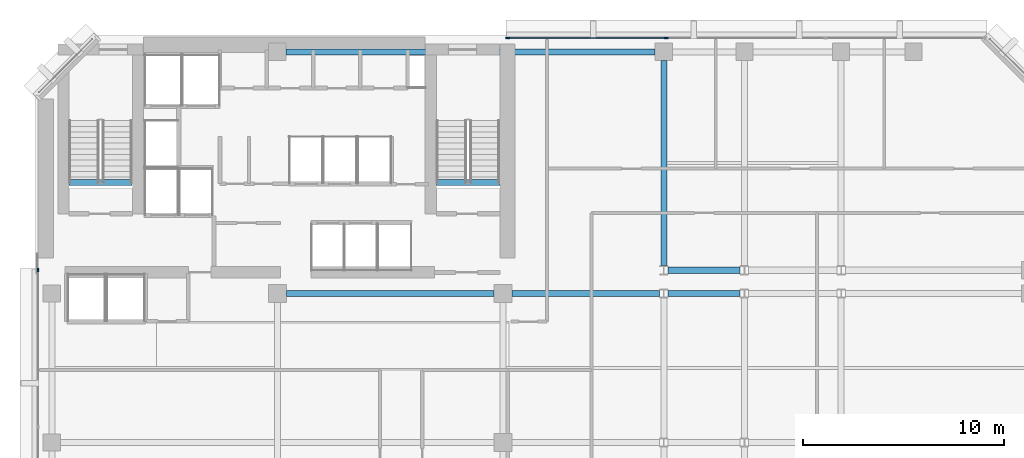
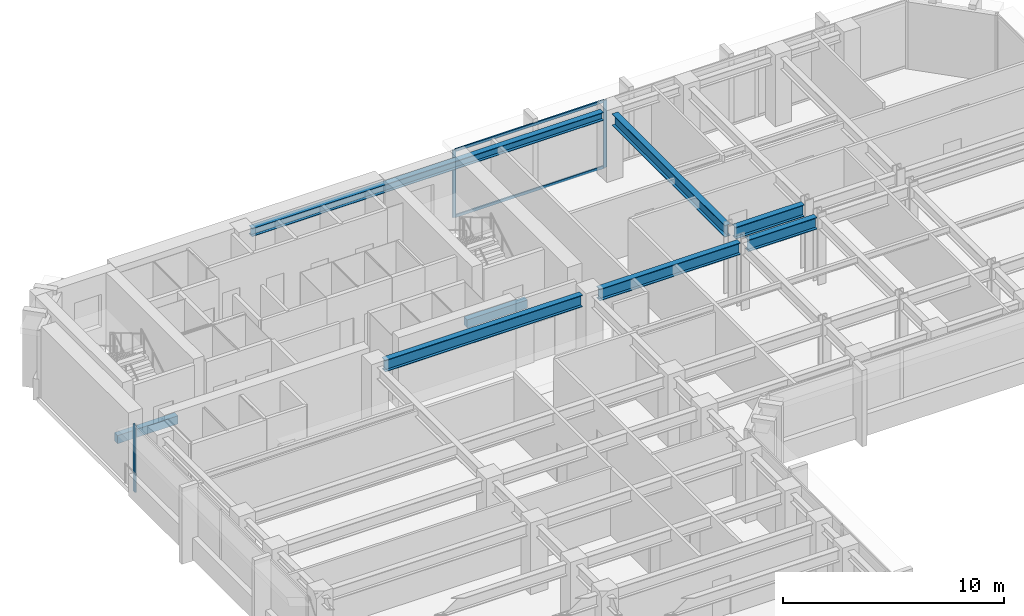
# One storey, part 4 of 11: 8 beams, 5 members, 2 elements without a shape of their own.
"""IFC4 building model written with IfcOpenShell, lengths in metres."""

import ifcopenshell
import ifcopenshell.guid

model = None  # the IFC model being written
_history = None  # IfcOwnerHistory: only IFC2X3 demands one
_inside = {}  # id of a spatial element -> (the spatial element, [elements in it])
_under = {}  # id of a project, library or spatial element -> (it, [spatial elements below it])
_declared = {}  # id of a project -> (the project, [libraries it declares])
_typed = {}  # id of a type object -> (the type object, [elements of that type])
_made_of = {}  # id of a material, layer set ... -> (it, [elements and type objects made of it])


def new_model(schema):
    """Start an empty IFC model of exactly this schema.

    Asked for "IFC4X3", IfcOpenShell would pick the latest addendum, in which some entities
    have other attributes; the version numbers below select the first issue.
    IFC2X3 requires an IfcOwnerHistory on every rooted entity: one is made here for all.
    """
    global model, _history
    if schema == "IFC4X3":
        model = ifcopenshell.file(schema_version=(4, 3, 0, 0))
    else:
        model = ifcopenshell.file(schema=schema)
    _inside.clear()
    _under.clear()
    _declared.clear()
    _typed.clear()
    _made_of.clear()
    _history = None
    if model.schema == "IFC2X3":
        org = make("IfcOrganization", Name="unknown")
        user = make(
            "IfcPersonAndOrganization",
            ThePerson=make("IfcPerson", FamilyName="unknown"),
            TheOrganization=org,
        )
        app = make(
            "IfcApplication",
            ApplicationDeveloper=org,
            Version="unknown",
            ApplicationFullName="unknown",
            ApplicationIdentifier="unknown",
        )
        _history = make(
            "IfcOwnerHistory",
            OwningUser=user,
            OwningApplication=app,
            ChangeAction="ADDED",
            CreationDate=0,
        )
    return model


def make(cls, **values):
    """One entity of the class cls with the attributes given. An attribute that is None is left unset."""
    return model.create_entity(
        cls, **{name: value for name, value in values.items() if value is not None}
    )


def rooted(cls, **values):
    """An entity with a GlobalId (a new one), such as an element, a storey or a relation."""
    return make(cls, GlobalId=ifcopenshell.guid.new(), OwnerHistory=_history, **values)


def si_unit(unit_type, name, prefix=None):
    """IfcSIUnit, for example si_unit("LENGTHUNIT", "METRE", prefix="MILLI")."""
    return make("IfcSIUnit", UnitType=unit_type, Prefix=prefix, Name=name)


def assignment(units):
    """IfcUnitAssignment: the units of a project."""
    return None if units is None else make("IfcUnitAssignment", Units=units)


def point(xyz):
    """IfcCartesianPoint."""
    return None if xyz is None else make("IfcCartesianPoint", Coordinates=xyz)


def direction(xyz):
    """IfcDirection."""
    return None if xyz is None else make("IfcDirection", DirectionRatios=xyz)


def frame(location, z_axis=None, x_axis=None):
    """IfcAxis2Placement3D, a coordinate frame: its origin and axes. An axis left out is left unset."""
    return make(
        "IfcAxis2Placement3D",
        Location=point(location),
        Axis=direction(z_axis),
        RefDirection=direction(x_axis),
    )


def frame_2d(location, x_axis=None):
    """IfcAxis2Placement2D, a coordinate frame in the plane: its origin and x axis."""
    return make(
        "IfcAxis2Placement2D", Location=point(location), RefDirection=direction(x_axis)
    )


def origin():
    """The frame at (0, 0, 0) with its axes left unset."""
    return frame((0.0, 0.0, 0.0))


def origin_2d():
    """The frame at (0, 0) in the plane with its x axis left unset."""
    return frame_2d((0.0, 0.0))


def place(relative_to, where):
    """IfcLocalPlacement: puts the frame where relative to a parent placement (None: the world)."""
    return make(
        "IfcLocalPlacement", PlacementRelTo=relative_to, RelativePlacement=where
    )


def context(
    kind, dimensions, precision=None, world=None, true_north=None, identifier=None
):
    """IfcGeometricRepresentationContext, for example the 3D "Model" context."""
    return make(
        "IfcGeometricRepresentationContext",
        ContextIdentifier=identifier,
        ContextType=kind,
        CoordinateSpaceDimension=dimensions,
        Precision=precision,
        WorldCoordinateSystem=world,
        TrueNorth=true_north,
    )


def subcontext(parent, identifier, kind, view, scale=None):
    """IfcGeometricRepresentationSubContext, for example "Body" below "Model"."""
    return make(
        "IfcGeometricRepresentationSubContext",
        ContextIdentifier=identifier,
        ContextType=kind,
        ParentContext=parent,
        TargetScale=scale,
        TargetView=view,
    )


def project(units=None, contexts=None):
    """IfcProject with its units and contexts."""
    return rooted(
        "IfcProject",
        Name="project",
        RepresentationContexts=contexts,
        UnitsInContext=assignment(units),
    )


def spatial(cls, under=None, at=None, **own):
    """A site, building, storey or space (cls), placed at a placement, below another one or the project."""
    s = rooted(cls, ObjectPlacement=at, **own)
    if under is not None:
        _under.setdefault(under.id(), (under, []))[1].append(s)
    return s


def profile(cls, at=None, kind="AREA", **sizes):
    """A parametric profile (cls). Its sizes go by their IFC names, for example OverallWidth=200.0."""
    return make(cls, ProfileType=kind, Position=at, **sizes)


def rectangle(**sizes):
    """IfcRectangleProfileDef."""
    return profile("IfcRectangleProfileDef", **sizes)


def i_section(**sizes):
    """IfcIShapeProfileDef."""
    return profile("IfcIShapeProfileDef", **sizes)


def extrude(swept, where, along, depth):
    """IfcExtrudedAreaSolid: the profile swept, set in the frame where, extruded along a direction by depth."""
    return make(
        "IfcExtrudedAreaSolid",
        SweptArea=swept,
        Position=where,
        ExtrudedDirection=direction(along),
        Depth=depth,
    )


def shape(context_of_items, identifier, shape_type, items):
    """IfcShapeRepresentation: the items that make up one representation, for example the "Body"."""
    return make(
        "IfcShapeRepresentation",
        ContextOfItems=context_of_items,
        RepresentationIdentifier=identifier,
        RepresentationType=shape_type,
        Items=items,
    )


def material(Name=None, Category=None):
    """IfcMaterial."""
    return make("IfcMaterial", Name=Name, Category=Category)


def layer(
    of_material, thickness, ventilated=None, Name=None, Category=None, Priority=None
):
    """IfcMaterialLayer: one layer of a wall or slab, of a material (None: an air gap)."""
    return make(
        "IfcMaterialLayer",
        Material=of_material,
        LayerThickness=thickness,
        IsVentilated=ventilated,
        Name=Name,
        Category=Category,
        Priority=Priority,
    )


def layer_set(layers, Name=None):
    """IfcMaterialLayerSet."""
    return make("IfcMaterialLayerSet", MaterialLayers=layers, LayerSetName=Name)


def material_profile(
    of_material, cross_section, Name=None, Category=None, Priority=None
):
    """IfcMaterialProfile: a cross section and its material."""
    return make(
        "IfcMaterialProfile",
        Name=Name,
        Material=of_material,
        Profile=cross_section,
        Priority=Priority,
        Category=Category,
    )


def profile_set(profiles, Name=None, composite=None):
    """IfcMaterialProfileSet."""
    return make(
        "IfcMaterialProfileSet",
        Name=Name,
        MaterialProfiles=profiles,
        CompositeProfile=composite,
    )


def made_of(thing, what):
    """Note that an element or type object is made of a material, layer set ...; save() writes the relation."""
    if what is not None:
        _made_of.setdefault(what.id(), (what, []))[1].append(thing)
    return thing


def type_object(cls, material=None, **own):
    """A type object (cls), such as IfcWallType, which elements share."""
    return made_of(rooted(cls, **own), material)


def element(
    cls,
    number,
    at=None,
    inside=None,
    cuts=None,
    type_object=None,
    material=None,
    context=None,
    identifier="Body",
    shape_type=None,
    held_by="IfcProductDefinitionShape",
    body=None,
    shapes=None,
    **own,
):
    """One element of the class cls, such as IfcWall. Its Tag is "e" and its number.

    at: its placement. inside: the storey or other place that contains it. cuts: it is an
    opening in that element (IfcRelVoidsElement). A single representation is given by context,
    identifier, shape_type and body (its items); several are given by shapes. held_by: the class
    of the entity that holds the representations. save() writes the other relations.
    """
    e = rooted(cls, Tag="e%d" % number, ObjectPlacement=at, **own)
    if body is not None:
        shapes = [shape(context, identifier, shape_type, body)]
    if shapes is not None:
        e.Representation = make(held_by, Representations=shapes)
    if inside is not None:
        _inside.setdefault(inside.id(), (inside, []))[1].append(e)
    if cuts is not None:
        rooted(
            "IfcRelVoidsElement", RelatingBuildingElement=cuts, RelatedOpeningElement=e
        )
    if type_object is not None:
        _typed.setdefault(type_object.id(), (type_object, []))[1].append(e)
    return made_of(e, material)


def aggregate(whole, parts):
    """IfcRelAggregates: a whole, such as a stair, and the parts it consists of."""
    return rooted("IfcRelAggregates", RelatingObject=whole, RelatedObjects=parts)


def save(model, path):
    """Write the relations noted so far, then the file.

    IfcRelAggregates (storeys below a building ...), IfcRelContainedInSpatialStructure (elements
    in a storey), IfcRelDefinesByType, IfcRelAssociatesMaterial and IfcRelDeclares: one each for
    every whole, place, type object, material and project.
    """
    for whole, parts in _under.values():
        aggregate(whole, parts)
    for where, things in _inside.values():
        rooted(
            "IfcRelContainedInSpatialStructure",
            RelatedElements=things,
            RelatingStructure=where,
        )
    for kind, things in _typed.values():
        rooted("IfcRelDefinesByType", RelatedObjects=things, RelatingType=kind)
    for what, things in _made_of.values():
        rooted("IfcRelAssociatesMaterial", RelatedObjects=things, RelatingMaterial=what)
    for by, libraries in _declared.values():
        rooted("IfcRelDeclares", RelatingContext=by, RelatedDefinitions=libraries)
    model.write(path)


model = new_model("IFC4")

# Units and contexts
model_context = context("Model", 3, precision=1e-05, world=origin(), true_north=direction((0.0, 1.0)))
body_context = subcontext(model_context, "Body", "Model", "MODEL_VIEW")
ifc_project = project(units=[si_unit("LENGTHUNIT", "METRE"), si_unit("AREAUNIT", "SQUARE_METRE"), si_unit("VOLUMEUNIT", "CUBIC_METRE"), si_unit("PLANEANGLEUNIT", "RADIAN"), si_unit("MASSUNIT", "GRAM", prefix="KILO")], contexts=[model_context])

# Site, building, storey
site_placement = place(None, origin())
site = spatial("IfcSite", under=ifc_project, at=site_placement, CompositionType="ELEMENT")
building_placement = place(site_placement, origin())
building = spatial("IfcBuilding", under=site, at=building_placement, Name="Kefirva Bronze Tower", CompositionType="ELEMENT")
storey_placement = place(building_placement, frame((0.0, 0.0, 179.52001953125)))
storey = spatial("IfcBuildingStorey", under=building, at=storey_placement, Name="L43", CompositionType="ELEMENT", Elevation=179.52001953125)

# Curtain wall, members
ifc_material_1 = material(Name="Bronze anodised aluminium", Category="aluminium")
ifc_layer = layer(ifc_material_1, 0.199951171875, Name="Bronze anodised aluminium")
ifc_layer_set = layer_set([ifc_layer], Name="Bronze anodised aluminium")
curtain_wall_type = type_object("IfcCurtainWallType", Name="Unitised Bronze Ribbon Curtain Wall Zone 2", PredefinedType="USERDEFINED", material=ifc_layer_set)
curtain_wall_1_placement = place(storey_placement, origin())
curtain_wall_1 = element("IfcCurtainWall", 1, at=curtain_wall_1_placement, inside=storey, type_object=curtain_wall_type, Name="L43 Curtain Wall 5", ObjectType="UNITISED CURTAIN WALL", PredefinedType="USERDEFINED")
ifc_material_profile_1 = material_profile(ifc_material_1, rectangle(XDim=0.074951171875, YDim=0.179931640625, at=origin_2d()), Name="ALU 75x180")
ifc_profile_set_1 = profile_set([ifc_material_profile_1], Name="Bronze anodised aluminium")
member_type_1 = type_object("IfcMemberType", Name="Bronze Mullion 75x180", PredefinedType="MULLION", material=ifc_profile_set_1)
member_1_placement = place(storey_placement, frame((31.318359375, 45.8798828125, 0.0), z_axis=(0.0, 0.0, 1.0), x_axis=(0.0, -1.0, 0.0)))
member_1 = element("IfcMember", 2, at=member_1_placement, type_object=member_type_1, Name="CW-02 mullion 3", PredefinedType="MULLION", context=body_context, shape_type="SweptSolid", body=[
    extrude(rectangle(XDim=0.074951171875, YDim=0.179931640625, at=origin_2d()), origin(), (0.0, 0.0, 1.0), 3.7099609375),
])
member_2_placement = place(storey_placement, frame((23.4423828125, 45.8798828125, 0.0), z_axis=(0.0, 0.0, 1.0), x_axis=(0.0, -1.0, 0.0)))
member_2 = element("IfcMember", 3, at=member_2_placement, type_object=member_type_1, Name="CW-02 mullion 4", PredefinedType="MULLION", context=body_context, shape_type="SweptSolid", body=[
    extrude(rectangle(XDim=0.074951171875, YDim=0.179931640625, at=origin_2d()), origin(), (0.0, 0.0, 1.0), 3.7099609375),
])

# Curtain wall, member
curtain_wall_2_placement = place(storey_placement, origin())
curtain_wall_2 = element("IfcCurtainWall", 4, at=curtain_wall_2_placement, inside=storey, type_object=curtain_wall_type, Name="L43 Curtain Wall 6", ObjectType="UNITISED CURTAIN WALL", PredefinedType="USERDEFINED")
member_3_placement = place(storey_placement, frame((0.1201171875, 34.357421875, 0.0), z_axis=(0.0, 0.0, 1.0), x_axis=(1.0, 0.0, 0.0)))
member_3 = element("IfcMember", 5, at=member_3_placement, type_object=member_type_1, Name="CW-02 mullion 1", PredefinedType="MULLION", context=body_context, shape_type="SweptSolid", body=[
    extrude(rectangle(XDim=0.074951171875, YDim=0.179931640625, at=origin_2d()), origin(), (0.0, 0.0, 1.0), 3.7099609375),
])
aggregate(curtain_wall_2, [member_3])

# Member
ifc_material_profile_2 = material_profile(ifc_material_1, rectangle(XDim=0.074951171875, YDim=0.14990234375, at=origin_2d()), Name="ALU 75x150")
ifc_profile_set_2 = profile_set([ifc_material_profile_2], Name="Bronze anodised aluminium")
member_type_2 = type_object("IfcMemberType", Name="Bronze Transom 75x150", PredefinedType="USERDEFINED", material=ifc_profile_set_2)
member_4_placement = place(storey_placement, frame((31.28076171875, 45.8798828125, 0.03759765625), z_axis=(-1.0, 0.0, 0.0), x_axis=(0.0, -1.0, 0.0)))
member_4 = element("IfcMember", 6, at=member_4_placement, type_object=member_type_2, Name="CW-02 transom 3.1", ObjectType="TRANSOM", PredefinedType="USERDEFINED", context=body_context, shape_type="SweptSolid", body=[
    extrude(rectangle(XDim=0.074951171875, YDim=0.14990234375, at=origin_2d()), origin(), (0.0, 0.0, 1.0), 7.80078125),
])

member_5_placement = place(storey_placement, frame((31.28076171875, 45.8798828125, 3.67236328125), z_axis=(-1.0, 0.0, 0.0), x_axis=(0.0, -1.0, 0.0)))
member_5 = element("IfcMember", 7, at=member_5_placement, type_object=member_type_2, Name="CW-02 transom 3.2", ObjectType="TRANSOM", PredefinedType="USERDEFINED", context=body_context, shape_type="SweptSolid", body=[
    extrude(rectangle(XDim=0.074951171875, YDim=0.14990234375, at=origin_2d()), origin(), (0.0, 0.0, 1.0), 7.80078125),
])

aggregate(curtain_wall_1, [member_1, member_2, member_4, member_5])

# Beams
ifc_material_2 = material(Name="Concrete C50/60", Category="concrete")
ifc_material_profile_3 = material_profile(ifc_material_2, rectangle(XDim=0.300048828125, YDim=0.449951171875, at=origin_2d()), Name="RC 300x450")
ifc_profile_set_3 = profile_set([ifc_material_profile_3], Name="Concrete C50/60")
beam_type_1 = type_object("IfcBeamType", Name="RC Stair Trimmer Beam 300x450", PredefinedType="BEAM", material=ifc_profile_set_3)
beam_1_placement = place(storey_placement, frame((1.64501953125, 38.699951171875, -0.22509765625), z_axis=(1.0, 0.0, 0.0), x_axis=(0.0, 1.0, 0.0)))
element("IfcBeam", 8, at=beam_1_placement, inside=storey, type_object=beam_type_1, Name="L43 Stair 1 Landing Trimmer Beam", PredefinedType="BEAM", context=body_context, shape_type="SweptSolid", body=[
    extrude(rectangle(XDim=0.300048828125, YDim=0.449951171875, at=origin_2d()), origin(), (0.0, 0.0, 1.0), 3.14990234375),
])
beam_2_placement = place(storey_placement, frame((19.89501953125, 38.699951171875, -0.22509765625), z_axis=(1.0, 0.0, 0.0), x_axis=(0.0, 1.0, 0.0)))
element("IfcBeam", 9, at=beam_2_placement, inside=storey, type_object=beam_type_1, Name="L43 Stair 2 Landing Trimmer Beam", PredefinedType="BEAM", context=body_context, shape_type="SweptSolid", body=[
    extrude(rectangle(XDim=0.300048828125, YDim=0.449951171875, at=origin_2d()), origin(), (0.0, 0.0, 1.0), 3.159912109375),
])
ifc_material_3 = material(Name="Steel S355", Category="steel")
ifc_material_profile_4 = material_profile(ifc_material_3, i_section(OverallWidth=0.300048828125, OverallDepth=0.64990234375, WebThickness=0.01611328125, FlangeThickness=0.031005859375, at=origin_2d()), Name="HEB 650")
ifc_profile_set_4 = profile_set([ifc_material_profile_4], Name="Steel S355")
beam_type_2 = type_object("IfcBeamType", Name="Steel Girder HEB 650", PredefinedType="USERDEFINED", material=ifc_profile_set_4)
beam_3_placement = place(storey_placement, frame((12.449951171875, 33.199951171875, 3.385009765625), z_axis=(1.0, 0.0, 0.0), x_axis=(0.0, 1.0, 0.0)))
element("IfcBeam", 10, at=beam_3_placement, inside=storey, type_object=beam_type_2, Name="L43 BM-L43-EW-12-332", ObjectType="GIRDER", PredefinedType="USERDEFINED", context=body_context, shape_type="SweptSolid", body=[
    extrude(i_section(OverallWidth=0.300048828125, OverallDepth=0.64990234375, WebThickness=0.01611328125, FlangeThickness=0.031005859375, at=origin_2d()), origin(), (0.0, 0.0, 1.0), 10.300048828125),
])
beam_4_placement = place(storey_placement, frame((23.64990234375, 33.199951171875, 3.385009765625), z_axis=(1.0, 0.0, 0.0), x_axis=(0.0, 1.0, 0.0)))
element("IfcBeam", 11, at=beam_4_placement, inside=storey, type_object=beam_type_2, Name="L43 BM-L43-EW-23-332", ObjectType="GIRDER", PredefinedType="USERDEFINED", context=body_context, shape_type="SweptSolid", body=[
    extrude(i_section(OverallWidth=0.300048828125, OverallDepth=0.64990234375, WebThickness=0.01611328125, FlangeThickness=0.031005859375, at=origin_2d()), origin(), (0.0, 0.0, 1.0), 7.341064453125),
])
for number, where, z_axis, x_axis, name in (
    (12, (31.408935546875, 33.199951171875, 3.385009765625), (1.0, 0.0, 0.0), (0.0, 1.0, 0.0), "L43 BM-L43-EW-31-332"),
    (13, (31.408935546875, 34.35009765625, 3.385009765625), (1.0, 0.0, 0.0), (0.0, 1.0, 0.0), "L43 BM-L43-EW-31-344"),
):
    element("IfcBeam", number, at=place(storey_placement, frame(where, z_axis=z_axis, x_axis=x_axis)), inside=storey, type_object=beam_type_2, Name=name, ObjectType="GIRDER", PredefinedType="USERDEFINED", context=body_context, shape_type="SweptSolid", body=[
        extrude(i_section(OverallWidth=0.300048828125, OverallDepth=0.64990234375, WebThickness=0.01611328125, FlangeThickness=0.031005859375, at=origin_2d()), origin(), (0.0, 0.0, 1.0), 3.58203125),
    ])
beam_5_placement = place(storey_placement, frame((31.199951171875, 34.577392578125, 3.385009765625), z_axis=(0.0, 1.0, 0.0), x_axis=(-1.0, 0.0, 0.0)))
element("IfcBeam", 14, at=beam_5_placement, inside=storey, type_object=beam_type_2, Name="L43 BM-L43-NS-312-34", ObjectType="GIRDER", PredefinedType="USERDEFINED", context=body_context, shape_type="SweptSolid", body=[
    extrude(i_section(OverallWidth=0.300048828125, OverallDepth=0.64990234375, WebThickness=0.01611328125, FlangeThickness=0.031005859375, at=origin_2d()), origin(), (0.0, 0.0, 1.0), 10.192626953125),
])
ifc_material_profile_5 = material_profile(ifc_material_3, i_section(OverallWidth=0.300048828125, OverallDepth=0.449951171875, WebThickness=0.013916015625, FlangeThickness=0.02587890625, at=origin_2d()), Name="HEB 450")
ifc_profile_set_5 = profile_set([ifc_material_profile_5], Name="Steel S355")
beam_type_3 = type_object("IfcBeamType", Name="Steel Spandrel HEB 450 Ext", PredefinedType="SPANDREL", material=ifc_profile_set_5)
beam_6_placement = place(storey_placement, frame((12.429931640625, 45.199951171875, 3.48486328125), z_axis=(1.0, 0.0, 0.0), x_axis=(0.0, 1.0, 0.0)))
element("IfcBeam", 15, at=beam_6_placement, inside=storey, type_object=beam_type_3, Name="L43 BM-L43-EW-12-452", PredefinedType="SPANDREL", context=body_context, shape_type="SweptSolid", body=[
    extrude(i_section(OverallWidth=0.300048828125, OverallDepth=0.449951171875, WebThickness=0.013916015625, FlangeThickness=0.02587890625, at=origin_2d()), origin(), (0.0, 0.0, 1.0), 18.340087890625),
])

save(model, "model.ifc")
